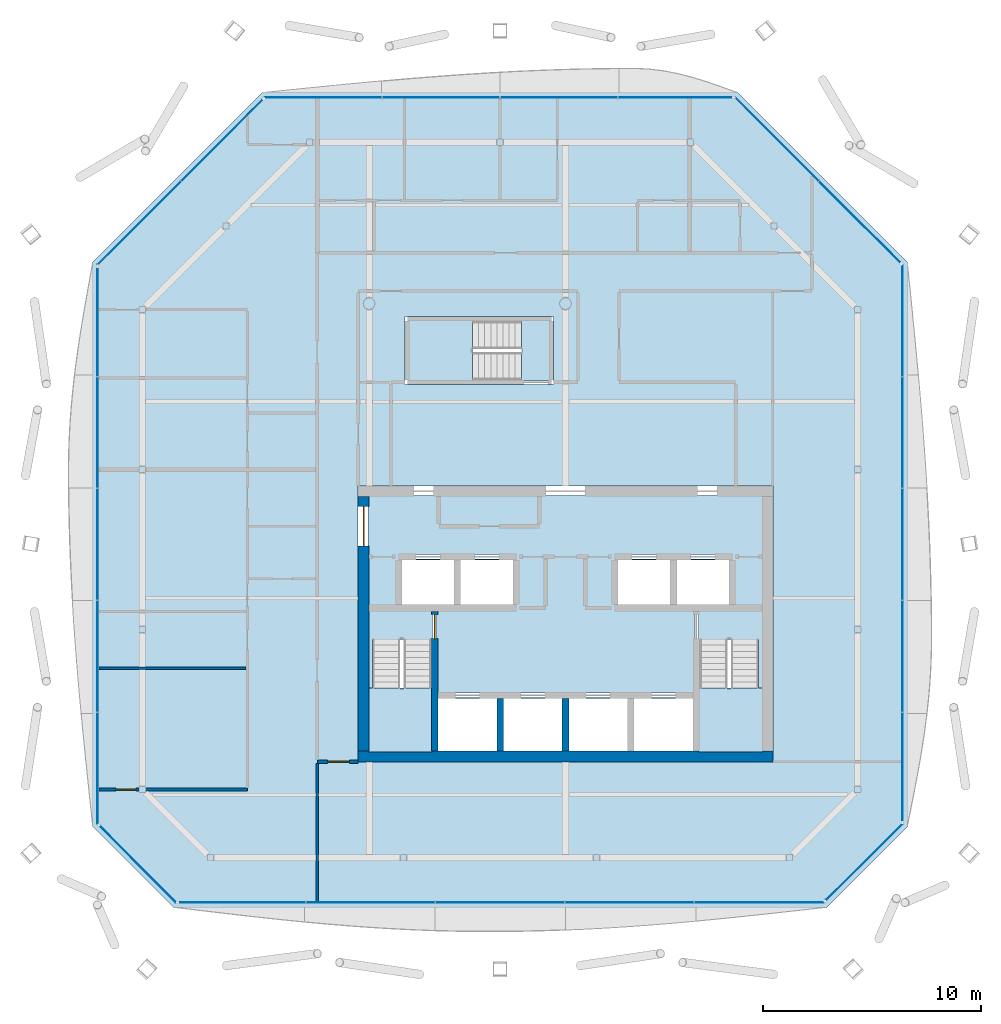
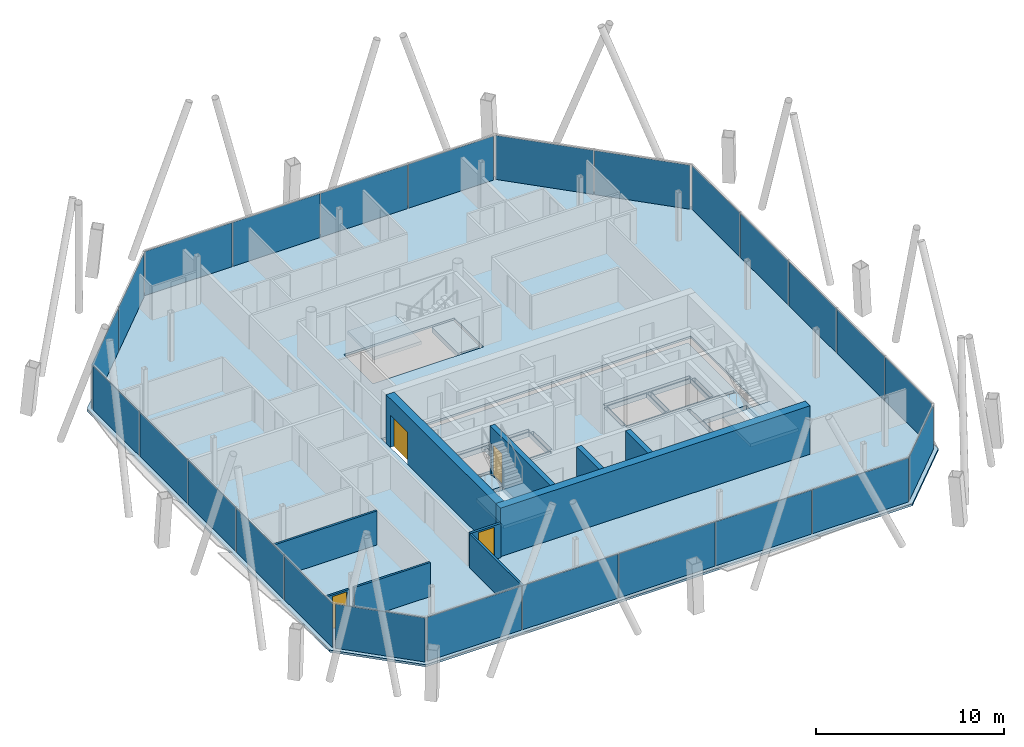
# One storey, part 11 of 17: 25 plates, 10 walls, 6 slabs, 4 doors, 4 openings, 11 elements without a shape of their own.
"""IFC4 building model written with IfcOpenShell, lengths in metres."""

from ifc_helpers import new_model, si_unit, direction, frame, frame_2d, origin, origin_2d, place, context, subcontext, project, spatial, polyline, rectangle, outline, extrude, material, layer, layer_set, type_object, element, fill, aggregate, save


model = new_model("IFC4")

# Units and contexts
model_context = context("Model", 3, precision=1e-05, world=origin(), true_north=direction((0.0, 1.0)))
body_context = subcontext(model_context, "Body", "Model", "MODEL_VIEW")
ifc_project = project(units=[si_unit("LENGTHUNIT", "METRE"), si_unit("AREAUNIT", "SQUARE_METRE"), si_unit("VOLUMEUNIT", "CUBIC_METRE"), si_unit("PLANEANGLEUNIT", "RADIAN"), si_unit("MASSUNIT", "GRAM", prefix="KILO")], contexts=[model_context])

# Site, building, storey
site_placement = place(None, origin())
site = spatial("IfcSite", under=ifc_project, at=site_placement, CompositionType="ELEMENT")
building_placement = place(site_placement, origin())
building = spatial("IfcBuilding", under=site, at=building_placement, Name="Tskaro Facet Tower", CompositionType="ELEMENT")
storey_placement = place(building_placement, frame((0.0, 0.0, 226.64990234375)))
storey = spatial("IfcBuildingStorey", under=building, at=storey_placement, Name="L58", CompositionType="ELEMENT", Elevation=226.64990234375)

# Slab
ifc_material_1 = material(Name="Concrete C30/37", Category="concrete")
ifc_layer_1 = layer(ifc_material_1, 0.139892578125, Name="Concrete C30/37")
ifc_layer_set_1 = layer_set([ifc_layer_1], Name="Concrete C30/37")
slab_type_1 = type_object("IfcSlabType", Name="Composite deck floor slab", PredefinedType="FLOOR", material=ifc_layer_set_1)
slab_1_placement = place(storey_placement, frame((0.0, 0.0, -0.139892578125)))
element("IfcSlab", 1, at=slab_1_placement, inside=storey, type_object=slab_type_1, Name="Floor slab FS3 L58", PredefinedType="FLOOR", context=body_context, shape_type="SweptSolid", body=[
    extrude(outline(polyline([(-17.947998046875, -18.68701171875), (11.947998046875, -18.68701171875), (15.68701171875, -14.947998046875), (15.68701171875, 10.883056640625), (7.883056640625, 18.68701171875), (-13.883056640625, 18.68701171875), (-21.68701171875, 10.883056640625), (-21.68701171875, -14.947998046875), (-17.947998046875, -18.68701171875)]), holes=[polyline([(-9.5, -12.0), (9.5, -12.0), (9.5, 0.64990234375), (-9.5, 0.64990234375), (-9.5, -12.0)]), polyline([(-7.35009765625, 5.300048828125), (-0.550048828125, 5.300048828125), (-0.550048828125, 8.39990234375), (-7.35009765625, 8.39990234375), (-7.35009765625, 5.300048828125)])]), origin(), (0.0, 0.0, 1.0), 0.139892578125),
])

# Curtain wall, plates
ifc_material_2 = material(Name="Bronze anodised aluminium 6063-T6", Category="aluminium")
curtain_wall_type = type_object("IfcCurtainWallType", Name="Bronze residence curtain wall (FW3)", PredefinedType="NOTDEFINED", material=ifc_material_2)
curtain_wall_1_placement = place(storey_placement, origin())
curtain_wall_1 = element("IfcCurtainWall", 2, at=curtain_wall_1_placement, inside=storey, type_object=curtain_wall_type, Name="FW3 south facet L58", PredefinedType="NOTDEFINED")
ifc_material_3 = material(Name="Bronze low-iron glass", Category="glass")
ifc_layer_2 = layer(ifc_material_3, 0.028076171875, Name="Bronze low-iron glass")
ifc_layer_set_2 = layer_set([ifc_layer_2], Name="Bronze low-iron glass")
plate_type = type_object("IfcPlateType", Name="FW3 bronze-tinted unit glazing 28", PredefinedType="CURTAIN_PANEL", material=ifc_layer_set_2)
plate_1_placement = place(storey_placement, frame((-14.817626953125, -18.43701171875, 0.0), z_axis=(0.0, 0.0, 1.0), x_axis=(1.0, 0.0, 0.0)))
plate_1 = element("IfcPlate", 3, at=plate_1_placement, type_object=plate_type, Name="FW3 south glazing 1.1", PredefinedType="CURTAIN_PANEL", context=body_context, shape_type="SweptSolid", body=[
    extrude(rectangle(XDim=5.772705078125, YDim=0.028076171875, at=origin_2d()), origin(), (0.0, 0.0, 1.0), 2.860107421875),
])
plate_2_placement = place(storey_placement, frame((-8.9375, -18.43701171875, 0.0), z_axis=(0.0, 0.0, 1.0), x_axis=(1.0, 0.0, 0.0)))
plate_2 = element("IfcPlate", 4, at=plate_2_placement, type_object=plate_type, Name="FW3 south glazing 2.1", PredefinedType="CURTAIN_PANEL", context=body_context, shape_type="SweptSolid", body=[
    extrude(rectangle(XDim=5.8876953125, YDim=0.028076171875, at=origin_2d()), origin(), (0.0, 0.0, 1.0), 2.860107421875),
])
plate_3_placement = place(storey_placement, frame((-3.0, -18.43701171875, 0.0), z_axis=(0.0, 0.0, 1.0), x_axis=(1.0, 0.0, 0.0)))
plate_3 = element("IfcPlate", 5, at=plate_3_placement, type_object=plate_type, Name="FW3 south glazing 3.1", PredefinedType="CURTAIN_PANEL", context=body_context, shape_type="SweptSolid", body=[
    extrude(rectangle(XDim=5.8876953125, YDim=0.028076171875, at=origin_2d()), origin(), (0.0, 0.0, 1.0), 2.860107421875),
])
plate_4_placement = place(storey_placement, frame((2.9375, -18.43701171875, 0.0), z_axis=(0.0, 0.0, 1.0), x_axis=(1.0, 0.0, 0.0)))
plate_4 = element("IfcPlate", 6, at=plate_4_placement, type_object=plate_type, Name="FW3 south glazing 4.1", PredefinedType="CURTAIN_PANEL", context=body_context, shape_type="SweptSolid", body=[
    extrude(rectangle(XDim=5.8876953125, YDim=0.028076171875, at=origin_2d()), origin(), (0.0, 0.0, 1.0), 2.860107421875),
])
plate_5_placement = place(storey_placement, frame((8.8876953125, -18.43701171875, 0.0), z_axis=(0.0, 0.0, 1.0), x_axis=(1.0, 0.0, 0.0)))
plate_5 = element("IfcPlate", 7, at=plate_5_placement, type_object=plate_type, Name="FW3 south glazing 5.1", PredefinedType="CURTAIN_PANEL", context=body_context, shape_type="SweptSolid", body=[
    extrude(rectangle(XDim=5.91259765625, YDim=0.028076171875, at=origin_2d()), origin(), (0.0, 0.0, 1.0), 2.860107421875),
])
aggregate(curtain_wall_1, [plate_1, plate_2, plate_3, plate_4, plate_5])

# Curtain wall, plate
curtain_wall_2_placement = place(storey_placement, origin())
curtain_wall_2 = element("IfcCurtainWall", 8, at=curtain_wall_2_placement, inside=storey, type_object=curtain_wall_type, Name="FW3 south-east facet L58", PredefinedType="NOTDEFINED")
plate_6_placement = place(storey_placement, frame((13.68994140625, -16.591064453125, 0.0), z_axis=(0.0, 0.0, 1.0), x_axis=(0.707106781187, 0.707106781187, 0.0)))
plate_6 = element("IfcPlate", 9, at=plate_6_placement, type_object=plate_type, Name="FW3 south-east glazing 1.1", PredefinedType="CURTAIN_PANEL", context=body_context, shape_type="SweptSolid", body=[
    extrude(rectangle(XDim=4.941162109375, YDim=0.028076171875, at=origin_2d()), origin(), (0.0, 0.0, 1.0), 2.860107421875),
])
aggregate(curtain_wall_2, [plate_6])

# Curtain wall, plates
curtain_wall_3_placement = place(storey_placement, origin())
curtain_wall_3 = element("IfcCurtainWall", 10, at=curtain_wall_3_placement, inside=storey, type_object=curtain_wall_type, Name="FW3 east facet L58", PredefinedType="NOTDEFINED")
plate_7_placement = place(storey_placement, frame((15.43701171875, -12.22412109375, 0.0), z_axis=(0.0, 0.0, 1.0), x_axis=(0.0, 1.0, 0.0)))
plate_7 = element("IfcPlate", 11, at=plate_7_placement, type_object=plate_type, Name="FW3 east glazing 1.1", PredefinedType="CURTAIN_PANEL", context=body_context, shape_type="SweptSolid", body=[
    extrude(rectangle(XDim=4.959716796875, YDim=0.028076171875, at=origin_2d()), origin(), (0.0, 0.0, 1.0), 2.860107421875),
])
plate_8_placement = place(storey_placement, frame((15.43701171875, -7.156982421875, 0.0), z_axis=(0.0, 0.0, 1.0), x_axis=(0.0, 1.0, 0.0)))
plate_8 = element("IfcPlate", 12, at=plate_8_placement, type_object=plate_type, Name="FW3 east glazing 2.1", PredefinedType="CURTAIN_PANEL", context=body_context, shape_type="SweptSolid", body=[
    extrude(rectangle(XDim=5.07470703125, YDim=0.028076171875, at=origin_2d()), origin(), (0.0, 0.0, 1.0), 2.860107421875),
])
plate_9_placement = place(storey_placement, frame((15.43701171875, -2.032470703125, 0.0), z_axis=(0.0, 0.0, 1.0), x_axis=(0.0, 1.0, 0.0)))
plate_9 = element("IfcPlate", 13, at=plate_9_placement, type_object=plate_type, Name="FW3 east glazing 3.1", PredefinedType="CURTAIN_PANEL", context=body_context, shape_type="SweptSolid", body=[
    extrude(rectangle(XDim=5.07470703125, YDim=0.028076171875, at=origin_2d()), origin(), (0.0, 0.0, 1.0), 2.860107421875),
])
plate_10_placement = place(storey_placement, frame((15.43701171875, 3.092041015625, 0.0), z_axis=(0.0, 0.0, 1.0), x_axis=(0.0, 1.0, 0.0)))
plate_10 = element("IfcPlate", 14, at=plate_10_placement, type_object=plate_type, Name="FW3 east glazing 4.1", PredefinedType="CURTAIN_PANEL", context=body_context, shape_type="SweptSolid", body=[
    extrude(rectangle(XDim=5.07470703125, YDim=0.028076171875, at=origin_2d()), origin(), (0.0, 0.0, 1.0), 2.860107421875),
])
plate_11_placement = place(storey_placement, frame((15.43701171875, 8.229248046875, 0.0), z_axis=(0.0, 0.0, 1.0), x_axis=(0.0, 1.0, 0.0)))
plate_11 = element("IfcPlate", 15, at=plate_11_placement, type_object=plate_type, Name="FW3 east glazing 5.1", PredefinedType="CURTAIN_PANEL", context=body_context, shape_type="SweptSolid", body=[
    extrude(rectangle(XDim=5.099609375, YDim=0.028076171875, at=origin_2d()), origin(), (0.0, 0.0, 1.0), 2.860107421875),
])
aggregate(curtain_wall_3, [plate_7, plate_8, plate_9, plate_10, plate_11])

curtain_wall_4_placement = place(storey_placement, origin())
curtain_wall_4 = element("IfcCurtainWall", 16, at=curtain_wall_4_placement, inside=storey, type_object=curtain_wall_type, Name="FW3 north-east facet L58", PredefinedType="NOTDEFINED")
plate_12_placement = place(storey_placement, frame((13.48193359375, 12.734130859375, 0.0), z_axis=(0.0, 0.0, 1.0), x_axis=(-0.707106781187, 0.707106781187, 0.0)))
plate_12 = element("IfcPlate", 17, at=plate_12_placement, type_object=plate_type, Name="FW3 north-east glazing 1.1", PredefinedType="CURTAIN_PANEL", context=body_context, shape_type="SweptSolid", body=[
    extrude(rectangle(XDim=5.25, YDim=0.028076171875, at=origin_2d()), origin(), (0.0, 0.0, 1.0), 2.860107421875),
])
plate_13_placement = place(storey_placement, frame((9.6845703125, 16.53125, 0.0), z_axis=(0.0, 0.0, 1.0), x_axis=(-0.707106781187, 0.707106781187, 0.0)))
plate_13 = element("IfcPlate", 18, at=plate_13_placement, type_object=plate_type, Name="FW3 north-east glazing 2.1", PredefinedType="CURTAIN_PANEL", context=body_context, shape_type="SweptSolid", body=[
    extrude(rectangle(XDim=5.39013671875, YDim=0.028076171875, at=origin_2d()), origin(), (0.0, 0.0, 1.0), 2.860107421875),
])
aggregate(curtain_wall_4, [plate_12, plate_13])

curtain_wall_5_placement = place(storey_placement, origin())
curtain_wall_5 = element("IfcCurtainWall", 19, at=curtain_wall_5_placement, inside=storey, type_object=curtain_wall_type, Name="FW3 north facet L58", PredefinedType="NOTDEFINED")
plate_14_placement = place(storey_placement, frame((5.02685546875, 18.43701171875, 0.0), z_axis=(0.0, 0.0, 1.0), x_axis=(-1.0, 0.0, 0.0)))
plate_14 = element("IfcPlate", 20, at=plate_14_placement, type_object=plate_type, Name="FW3 north glazing 1.1", PredefinedType="CURTAIN_PANEL", context=body_context, shape_type="SweptSolid", body=[
    extrude(rectangle(XDim=5.224609375, YDim=0.028076171875, at=origin_2d()), origin(), (0.0, 0.0, 1.0), 2.860107421875),
])
plate_15_placement = place(storey_placement, frame((-0.30517578125, 18.43701171875, 0.0), z_axis=(0.0, 0.0, 1.0), x_axis=(-1.0, 0.0, 0.0)))
plate_15 = element("IfcPlate", 21, at=plate_15_placement, type_object=plate_type, Name="FW3 north glazing 2.1", PredefinedType="CURTAIN_PANEL", context=body_context, shape_type="SweptSolid", body=[
    extrude(rectangle(XDim=5.339599609375, YDim=0.028076171875, at=origin_2d()), origin(), (0.0, 0.0, 1.0), 2.860107421875),
])
plate_16_placement = place(storey_placement, frame((-5.69482421875, 18.43701171875, 0.0), z_axis=(0.0, 0.0, 1.0), x_axis=(-1.0, 0.0, 0.0)))
plate_16 = element("IfcPlate", 22, at=plate_16_placement, type_object=plate_type, Name="FW3 north glazing 3.1", PredefinedType="CURTAIN_PANEL", context=body_context, shape_type="SweptSolid", body=[
    extrude(rectangle(XDim=5.339599609375, YDim=0.028076171875, at=origin_2d()), origin(), (0.0, 0.0, 1.0), 2.860107421875),
])
plate_17_placement = place(storey_placement, frame((-11.0966796875, 18.43701171875, 0.0), z_axis=(0.0, 0.0, 1.0), x_axis=(-1.0, 0.0, 0.0)))
plate_17 = element("IfcPlate", 23, at=plate_17_placement, type_object=plate_type, Name="FW3 north glazing 4.1", PredefinedType="CURTAIN_PANEL", context=body_context, shape_type="SweptSolid", body=[
    extrude(rectangle(XDim=5.364501953125, YDim=0.028076171875, at=origin_2d()), origin(), (0.0, 0.0, 1.0), 2.860107421875),
])
aggregate(curtain_wall_5, [plate_14, plate_15, plate_16, plate_17])

curtain_wall_6_placement = place(storey_placement, origin())
curtain_wall_6 = element("IfcCurtainWall", 24, at=curtain_wall_6_placement, inside=storey, type_object=curtain_wall_type, Name="FW3 north-west facet L58", PredefinedType="NOTDEFINED")
plate_18_placement = place(storey_placement, frame((-15.734130859375, 16.48193359375, 0.0), z_axis=(0.0, 0.0, 1.0), x_axis=(-0.707106781187, -0.707106781187, 0.0)))
plate_18 = element("IfcPlate", 25, at=plate_18_placement, type_object=plate_type, Name="FW3 north-west glazing 1.1", PredefinedType="CURTAIN_PANEL", context=body_context, shape_type="SweptSolid", body=[
    extrude(rectangle(XDim=5.25, YDim=0.028076171875, at=origin_2d()), origin(), (0.0, 0.0, 1.0), 2.860107421875),
])
plate_19_placement = place(storey_placement, frame((-19.53125, 12.6845703125, 0.0), z_axis=(0.0, 0.0, 1.0), x_axis=(-0.707106781187, -0.707106781187, 0.0)))
plate_19 = element("IfcPlate", 26, at=plate_19_placement, type_object=plate_type, Name="FW3 north-west glazing 2.1", PredefinedType="CURTAIN_PANEL", context=body_context, shape_type="SweptSolid", body=[
    extrude(rectangle(XDim=5.39013671875, YDim=0.028076171875, at=origin_2d()), origin(), (0.0, 0.0, 1.0), 2.860107421875),
])
aggregate(curtain_wall_6, [plate_18, plate_19])

curtain_wall_7_placement = place(storey_placement, origin())
curtain_wall_7 = element("IfcCurtainWall", 27, at=curtain_wall_7_placement, inside=storey, type_object=curtain_wall_type, Name="FW3 west facet L58", PredefinedType="NOTDEFINED")
plate_20_placement = place(storey_placement, frame((-21.43701171875, 8.1591796875, 0.0), z_axis=(0.0, 0.0, 1.0), x_axis=(0.0, -1.0, 0.0)))
plate_20 = element("IfcPlate", 28, at=plate_20_placement, type_object=plate_type, Name="FW3 west glazing 1.1", PredefinedType="CURTAIN_PANEL", context=body_context, shape_type="SweptSolid", body=[
    extrude(rectangle(XDim=4.959716796875, YDim=0.028076171875, at=origin_2d()), origin(), (0.0, 0.0, 1.0), 2.860107421875),
])
plate_21_placement = place(storey_placement, frame((-21.43701171875, 3.092041015625, 0.0), z_axis=(0.0, 0.0, 1.0), x_axis=(0.0, -1.0, 0.0)))
plate_21 = element("IfcPlate", 29, at=plate_21_placement, type_object=plate_type, Name="FW3 west glazing 2.1", PredefinedType="CURTAIN_PANEL", context=body_context, shape_type="SweptSolid", body=[
    extrude(rectangle(XDim=5.07470703125, YDim=0.028076171875, at=origin_2d()), origin(), (0.0, 0.0, 1.0), 2.860107421875),
])
plate_22_placement = place(storey_placement, frame((-21.43701171875, -2.032470703125, 0.0), z_axis=(0.0, 0.0, 1.0), x_axis=(0.0, -1.0, 0.0)))
plate_22 = element("IfcPlate", 30, at=plate_22_placement, type_object=plate_type, Name="FW3 west glazing 3.1", PredefinedType="CURTAIN_PANEL", context=body_context, shape_type="SweptSolid", body=[
    extrude(rectangle(XDim=5.07470703125, YDim=0.028076171875, at=origin_2d()), origin(), (0.0, 0.0, 1.0), 2.860107421875),
])
plate_23_placement = place(storey_placement, frame((-21.43701171875, -7.156982421875, 0.0), z_axis=(0.0, 0.0, 1.0), x_axis=(0.0, -1.0, 0.0)))
plate_23 = element("IfcPlate", 31, at=plate_23_placement, type_object=plate_type, Name="FW3 west glazing 4.1", PredefinedType="CURTAIN_PANEL", context=body_context, shape_type="SweptSolid", body=[
    extrude(rectangle(XDim=5.07470703125, YDim=0.028076171875, at=origin_2d()), origin(), (0.0, 0.0, 1.0), 2.860107421875),
])
plate_24_placement = place(storey_placement, frame((-21.43701171875, -12.294189453125, 0.0), z_axis=(0.0, 0.0, 1.0), x_axis=(0.0, -1.0, 0.0)))
plate_24 = element("IfcPlate", 32, at=plate_24_placement, type_object=plate_type, Name="FW3 west glazing 5.1", PredefinedType="CURTAIN_PANEL", context=body_context, shape_type="SweptSolid", body=[
    extrude(rectangle(XDim=5.099609375, YDim=0.028076171875, at=origin_2d()), origin(), (0.0, 0.0, 1.0), 2.860107421875),
])
aggregate(curtain_wall_7, [plate_20, plate_21, plate_22, plate_23, plate_24])

# Curtain wall, plate
curtain_wall_8_placement = place(storey_placement, origin())
curtain_wall_8 = element("IfcCurtainWall", 33, at=curtain_wall_8_placement, inside=storey, type_object=curtain_wall_type, Name="FW3 south-west facet L58", PredefinedType="NOTDEFINED")
plate_25_placement = place(storey_placement, frame((-19.591064453125, -16.68994140625, 0.0), z_axis=(0.0, 0.0, 1.0), x_axis=(0.707106781187, -0.707106781187, 0.0)))
plate_25 = element("IfcPlate", 34, at=plate_25_placement, type_object=plate_type, Name="FW3 south-west glazing 1.1", PredefinedType="CURTAIN_PANEL", context=body_context, shape_type="SweptSolid", body=[
    extrude(rectangle(XDim=4.941162109375, YDim=0.028076171875, at=origin_2d()), origin(), (0.0, 0.0, 1.0), 2.860107421875),
])
aggregate(curtain_wall_8, [plate_25])

# Stair, slab
ifc_material_4 = material(Name="Concrete C40/50", Category="concrete")
stair_type = type_object("IfcStairType", Name="ST-TWR", PredefinedType="HALF_TURN_STAIR", material=ifc_material_4)
stair_1_placement = place(storey_placement, origin())
stair_1 = element("IfcStair", 35, at=stair_1_placement, inside=storey, type_object=stair_type, Name="L58 Exit stair 1", PredefinedType="HALF_TURN_STAIR")
ifc_layer_3 = layer(ifc_material_4, 0.199951171875, Name="Concrete C40/50")
ifc_layer_set_3 = layer_set([ifc_layer_3], Name="Concrete C40/50")
slab_type_2 = type_object("IfcSlabType", Name="SL-LANDING", PredefinedType="LANDING", material=ifc_layer_set_3)
slab_2_placement = place(storey_placement, frame((0.0, 0.0, 1.375)))
slab_2 = element("IfcSlab", 36, at=slab_2_placement, type_object=slab_type_2, Name="ST-1 landing 1", PredefinedType="LANDING", context=body_context, shape_type="SweptSolid", body=[
    extrude(outline(polyline([(-9.050048828125, -11.550048828125), (-6.10009765625, -11.550048828125), (-6.10009765625, -8.614990234375), (-9.050048828125, -8.614990234375), (-9.050048828125, -11.550048828125)])), origin(), (0.0, 0.0, 1.0), 0.2001953125),
])
aggregate(stair_1, [slab_2])

stair_2_placement = place(storey_placement, origin())
stair_2 = element("IfcStair", 37, at=stair_2_placement, inside=storey, type_object=stair_type, Name="L58 Exit stair 2", PredefinedType="HALF_TURN_STAIR")
slab_3_placement = place(storey_placement, frame((0.0, 0.0, 1.375)))
slab_3 = element("IfcSlab", 38, at=slab_3_placement, type_object=slab_type_2, Name="ST-2 landing 1", PredefinedType="LANDING", context=body_context, shape_type="SweptSolid", body=[
    extrude(outline(polyline([(6.10009765625, -11.550048828125), (9.050048828125, -11.550048828125), (9.050048828125, -8.614990234375), (6.10009765625, -8.614990234375), (6.10009765625, -11.550048828125)])), origin(), (0.0, 0.0, 1.0), 0.2001953125),
])
aggregate(stair_2, [slab_3])

stair_3_placement = place(storey_placement, origin())
stair_3 = element("IfcStair", 39, at=stair_3_placement, inside=storey, type_object=stair_type, Name="L58 Exit stair 3", PredefinedType="HALF_TURN_STAIR")
slab_4_placement = place(storey_placement, frame((0.0, 0.0, 1.375)))
slab_4 = element("IfcSlab", 40, at=slab_4_placement, type_object=slab_type_2, Name="ST-3 landing 1", PredefinedType="LANDING", context=body_context, shape_type="SweptSolid", body=[
    extrude(outline(polyline([(-7.199951171875, 5.449951171875), (-4.264892578125, 5.449951171875), (-4.264892578125, 8.25), (-7.199951171875, 8.25), (-7.199951171875, 5.449951171875)])), origin(), (0.0, 0.0, 1.0), 0.2001953125),
])
aggregate(stair_3, [slab_4])

# Slabs
ifc_material_5 = material(Name="Concrete C60/75", Category="concrete")
ifc_layer_4 = layer(ifc_material_5, 0.300048828125, Name="Concrete C60/75")
ifc_layer_set_4 = layer_set([ifc_layer_4], Name="Concrete C60/75")
slab_type_3 = type_object("IfcSlabType", Name="SLAB-CORE", PredefinedType="FLOOR", material=ifc_layer_set_4)
slab_5_placement = place(storey_placement, frame((0.0, 0.0, -0.2998046875)))
element("IfcSlab", 41, at=slab_5_placement, inside=storey, type_object=slab_type_3, Name="Core floor slab 1", PredefinedType="FLOOR", context=body_context, shape_type="SweptSolid", body=[
    extrude(outline(polyline([(-9.050048828125, 0.199951171875), (9.050048828125, 0.199951171875), (9.050048828125, 0.10009765625), (9.050048828125, -11.449951171875), (9.050048828125, -11.550048828125), (-9.050048828125, -11.550048828125), (-9.050048828125, -11.449951171875), (-9.050048828125, 0.10009765625), (-9.050048828125, 0.199951171875)]), holes=[polyline([(-5.85009765625, -9.10009765625), (-5.85009765625, -11.5), (-3.14990234375, -11.5), (-3.14990234375, -9.10009765625), (-5.85009765625, -9.10009765625)]), polyline([(-3.10009765625, -11.449951171875), (-2.89990234375, -11.449951171875), (-2.89990234375, -9.14990234375), (-3.10009765625, -9.14990234375), (-3.10009765625, -11.449951171875)]), polyline([(-2.85009765625, -9.10009765625), (-2.85009765625, -11.5), (-0.14990234375, -11.5), (-0.14990234375, -9.10009765625), (-2.85009765625, -9.10009765625)]), polyline([(-6.10009765625, -11.449951171875), (-5.89990234375, -11.449951171875), (-5.89990234375, -5.14990234375), (-6.10009765625, -5.14990234375), (-6.10009765625, -11.449951171875)]), polyline([(-8.949951171875, -5.050048828125), (-2.300048828125, -5.050048828125), (-2.300048828125, -4.85009765625), (-8.949951171875, -4.85009765625), (-8.949951171875, -5.050048828125)]), polyline([(-7.75, -4.75), (-7.550048828125, -4.75), (-7.550048828125, -2.800048828125), (-7.75, -2.800048828125), (-7.75, -4.75)]), polyline([(-7.5, -2.75), (-7.5, -4.800048828125), (-5.10009765625, -4.800048828125), (-5.10009765625, -2.75), (-7.5, -2.75)]), polyline([(-5.050048828125, -4.75), (-4.85009765625, -4.75), (-4.85009765625, -2.800048828125), (-5.050048828125, -2.800048828125), (-5.050048828125, -4.75)]), polyline([(-2.39990234375, -2.75), (-4.800048828125, -2.75), (-4.800048828125, -4.800048828125), (-2.39990234375, -4.800048828125), (-2.39990234375, -2.75)]), polyline([(-2.35009765625, -4.75), (-2.14990234375, -4.75), (-2.14990234375, -2.800048828125), (-2.35009765625, -2.800048828125), (-2.35009765625, -4.75)]), polyline([(-7.60009765625, -2.699951171875), (-2.300048828125, -2.699951171875), (-2.300048828125, -2.5), (-7.60009765625, -2.5), (-7.60009765625, -2.699951171875)]), polyline([(-0.10009765625, -11.449951171875), (0.10009765625, -11.449951171875), (0.10009765625, -9.14990234375), (-0.10009765625, -9.14990234375), (-0.10009765625, -11.449951171875)]), polyline([(0.14990234375, -9.10009765625), (0.14990234375, -11.5), (2.85009765625, -11.5), (2.85009765625, -9.10009765625), (0.14990234375, -9.10009765625)]), polyline([(2.89990234375, -11.449951171875), (3.10009765625, -11.449951171875), (3.10009765625, -9.14990234375), (2.89990234375, -9.14990234375), (2.89990234375, -11.449951171875)]), polyline([(3.14990234375, -9.10009765625), (3.14990234375, -11.5), (5.85009765625, -11.5), (5.85009765625, -9.10009765625), (3.14990234375, -9.10009765625)]), polyline([(-5.800048828125, -9.050048828125), (5.800048828125, -9.050048828125), (5.800048828125, -8.85009765625), (-5.800048828125, -8.85009765625), (-5.800048828125, -9.050048828125)]), polyline([(5.89990234375, -11.449951171875), (6.10009765625, -11.449951171875), (6.10009765625, -5.14990234375), (5.89990234375, -5.14990234375), (5.89990234375, -11.449951171875)]), polyline([(2.300048828125, -5.050048828125), (8.949951171875, -5.050048828125), (8.949951171875, -4.85009765625), (2.300048828125, -4.85009765625), (2.300048828125, -5.050048828125)]), polyline([(2.14990234375, -4.75), (2.35009765625, -4.75), (2.35009765625, -2.800048828125), (2.14990234375, -2.800048828125), (2.14990234375, -4.75)]), polyline([(2.39990234375, -4.800048828125), (4.800048828125, -4.800048828125), (4.800048828125, -2.75), (2.39990234375, -2.75), (2.39990234375, -4.800048828125)]), polyline([(4.85009765625, -4.75), (5.050048828125, -4.75), (5.050048828125, -2.800048828125), (4.85009765625, -2.800048828125), (4.85009765625, -4.75)]), polyline([(5.10009765625, -4.800048828125), (7.5, -4.800048828125), (7.5, -2.75), (5.10009765625, -2.75), (5.10009765625, -4.800048828125)]), polyline([(7.550048828125, -4.75), (7.75, -4.75), (7.75, -2.800048828125), (7.550048828125, -2.800048828125), (7.550048828125, -4.75)]), polyline([(2.300048828125, -2.699951171875), (7.60009765625, -2.699951171875), (7.60009765625, -2.5), (2.300048828125, -2.5), (2.300048828125, -2.699951171875)]), polyline([(-8.85009765625, -11.5), (-6.14990234375, -11.5), (-6.14990234375, -6.39501953125), (-8.85009765625, -6.39501953125), (-8.85009765625, -11.5)]), polyline([(6.14990234375, -6.39501953125), (6.14990234375, -11.5), (8.85009765625, -11.5), (8.85009765625, -6.39501953125), (6.14990234375, -6.39501953125)])]), origin(), (0.0, 0.0, 1.0), 0.2998046875),
])
slab_6_placement = place(storey_placement, frame((0.0, 0.0, -0.2998046875)))
element("IfcSlab", 42, at=slab_6_placement, inside=storey, type_object=slab_type_3, Name="Stair 3 floor landing 1", PredefinedType="FLOOR", context=body_context, shape_type="SweptSolid", body=[
    extrude(outline(polyline([(-2.02490234375, 5.449951171875), (-0.699951171875, 5.449951171875), (-0.699951171875, 8.25), (-2.02490234375, 8.25), (-2.02490234375, 5.449951171875)])), origin(), (0.0, 0.0, 1.0), 0.2998046875),
])

# Wall, opening, door
ifc_layer_5 = layer(ifc_material_5, 0.300048828125, Name="Concrete C60/75")
ifc_layer_set_5 = layer_set([ifc_layer_5], Name="Concrete C60/75")
wall_type_1 = type_object("IfcWallType", Name="CORE-SHAFT", PredefinedType="SHEAR", material=ifc_layer_set_5)
wall_1_placement = place(storey_placement, frame((-6.0, -11.5, 0.0), z_axis=(0.0, 0.0, 1.0), x_axis=(0.0, 1.0, 0.0)))
wall_1 = element("IfcWall", 43, at=wall_1_placement, inside=storey, type_object=wall_type_1, Name="Shaft wall W049", PredefinedType="SHEAR", context=body_context, shape_type="SweptSolid", body=[
    extrude(rectangle(XDim=6.39990234375, YDim=0.300048828125, at=frame_2d((3.199951171875, 0.0))), origin(), (0.0, 0.0, 1.0), 3.150146484375),
])
opening_1_placement = place(wall_1_placement, frame((5.14990234375, 0.0, 0.0)))
opening_1 = element("IfcOpeningElement", 44, at=opening_1_placement, cuts=wall_1, Name="Opening ST-1-D1", PredefinedType="OPENING", context=body_context, shape_type="SweptSolid", body=[
    extrude(rectangle(XDim=1.10009765625, YDim=2.10009765625, at=frame_2d((0.550048828125, 1.050048828125))), frame((0.0, 0.159912109375, 0.0), z_axis=(0.0, -1.0, 0.0), x_axis=(1.0, 0.0, 0.0)), (0.0, 0.0, 1.0), 0.320068359375),
])
ifc_material_6 = material(Name="Steel", Category="steel")
door_type_1 = type_object("IfcDoorType", Name="D-STAIR", OperationType="NOTDEFINED", PredefinedType="DOOR", material=ifc_material_6)
door_1_placement = place(opening_1_placement, origin())
door_1 = element("IfcDoor", 45, at=door_1_placement, inside=storey, type_object=door_type_1, Name="Stair door 1", OperationType="SINGLE_SWING_LEFT", OverallHeight=2.10009765625, OverallWidth=1.10009765625, PredefinedType="DOOR", context=body_context, shape_type="SweptSolid", body=[
    extrude(rectangle(XDim=1.10009765625, YDim=2.10009765625, at=frame_2d((0.550048828125, 1.050048828125))), frame((0.0, 0.02490234375, 0.0), z_axis=(0.0, -1.0, 0.0), x_axis=(1.0, 0.0, 0.0)), (0.0, 0.0, 1.0), 0.050048828125),
])
fill(opening_1, door_1)

# Walls
for number, where, z_axis, x_axis, name in (
    (46, (-3.0, -11.5, 0.0), (0.0, 0.0, 1.0), (0.0, 1.0, 0.0), "Shaft wall W052"),
    (47, (0.0, -11.5, 0.0), (0.0, 0.0, 1.0), (0.0, 1.0, 0.0), "Shaft wall W060"),
):
    element("IfcWall", number, at=place(storey_placement, frame(where, z_axis=z_axis, x_axis=x_axis)), inside=storey, type_object=wall_type_1, Name=name, PredefinedType="SHEAR", context=body_context, shape_type="SweptSolid", body=[
        extrude(rectangle(XDim=2.39990234375, YDim=0.300048828125, at=frame_2d((1.199951171875, 0.0))), origin(), (0.0, 0.0, 1.0), 3.150146484375),
    ])
ifc_layer_6 = layer(ifc_material_4, 0.5, Name="Concrete C40/50")
ifc_layer_set_6 = layer_set([ifc_layer_6], Name="Concrete C40/50")
wall_type_2 = type_object("IfcWallType", Name="Core wall 500", PredefinedType="SHEAR", material=ifc_layer_set_6)
wall_2_placement = place(storey_placement, frame((-9.5, -11.75, 0.0), z_axis=(0.0, 0.0, 1.0), x_axis=(1.0, 0.0, 0.0)))
element("IfcWall", 48, at=wall_2_placement, inside=storey, type_object=wall_type_2, Name="Core wall CW-Z3S", PredefinedType="SHEAR", context=body_context, shape_type="SweptSolid", body=[
    extrude(rectangle(XDim=19.0, YDim=0.5, at=frame_2d((9.5, 0.0))), origin(), (0.0, 0.0, 1.0), 3.150146484375),
])

# Wall, opening, door
wall_3_placement = place(storey_placement, frame((-9.25, -11.5, 0.0), z_axis=(0.0, 0.0, 1.0), x_axis=(0.0, 1.0, 0.0)))
wall_3 = element("IfcWall", 49, at=wall_3_placement, inside=storey, type_object=wall_type_2, Name="Core wall CW-Z3W", PredefinedType="SHEAR", context=body_context, shape_type="SweptSolid", body=[
    extrude(rectangle(XDim=11.64990234375, YDim=0.5, at=frame_2d((5.824951171875, 0.0))), origin(), (0.0, 0.0, 1.0), 3.150146484375),
])
opening_2_placement = place(wall_3_placement, frame((9.39990234375, 0.0, 0.0)))
opening_2 = element("IfcOpeningElement", 50, at=opening_2_placement, cuts=wall_3, Name="Opening T17-D11", PredefinedType="OPENING", context=body_context, shape_type="SweptSolid", body=[
    extrude(rectangle(XDim=1.800048828125, YDim=2.10009765625, at=frame_2d((0.89990234375, 1.050048828125))), frame((0.0, 0.260009765625, 0.0), z_axis=(0.0, -1.0, 0.0), x_axis=(1.0, 0.0, 0.0)), (0.0, 0.0, 1.0), 0.52001953125),
])
door_type_2 = type_object("IfcDoorType", Name="D-CORE-PAIR", OperationType="NOTDEFINED", PredefinedType="DOOR", material=ifc_material_6)
door_2_placement = place(opening_2_placement, origin())
door_2 = element("IfcDoor", 51, at=door_2_placement, inside=storey, type_object=door_type_2, Name="Door T17-D11", OperationType="DOUBLE_DOOR_SINGLE_SWING", OverallHeight=2.10009765625, OverallWidth=1.800048828125, PredefinedType="DOOR", context=body_context, shape_type="SweptSolid", body=[
    extrude(rectangle(XDim=1.800048828125, YDim=2.10009765625, at=frame_2d((0.89990234375, 1.050048828125))), frame((0.0, 0.02490234375, 0.0), z_axis=(0.0, -1.0, 0.0), x_axis=(1.0, 0.0, 0.0)), (0.0, 0.0, 1.0), 0.050048828125),
])
fill(opening_2, door_2)

ifc_material_7 = material(Name="Gypsum board on steel studs", Category="steel")
ifc_layer_7 = layer(ifc_material_7, 0.125, Name="Gypsum board on steel studs")
ifc_layer_set_7 = layer_set([ifc_layer_7], Name="Gypsum board on steel studs")
wall_type_3 = type_object("IfcWallType", Name="PART", PredefinedType="PARTITIONING", material=ifc_layer_set_7)
wall_4_placement = place(storey_placement, frame((-21.385009765625, -13.27001953125, 0.0), z_axis=(0.0, 0.0, 1.0), x_axis=(1.0, 0.0, 0.0)))
wall_4 = element("IfcWall", 52, at=wall_4_placement, inside=storey, type_object=wall_type_3, Name="Partition W001", PredefinedType="PARTITIONING", context=body_context, shape_type="SweptSolid", body=[
    extrude(rectangle(XDim=1.843994140625, YDim=0.125, at=frame_2d((0.921875, 0.0))), origin(), (0.0, 0.0, 1.0), 2.210205078125),
])
opening_3_placement = place(wall_4_placement, frame((0.7939453125, 0.0, 0.0)))
opening_3 = element("IfcOpeningElement", 53, at=opening_3_placement, cuts=wall_4, Name="Opening T17-D01", PredefinedType="OPENING", context=body_context, shape_type="SweptSolid", body=[
    extrude(rectangle(XDim=0.89990234375, YDim=2.10009765625, at=frame_2d((0.449951171875, 1.050048828125))), frame((0.0, 0.072509765625, 0.0), z_axis=(0.0, -1.0, 0.0), x_axis=(1.0, 0.0, 0.0)), (0.0, 0.0, 1.0), 0.14501953125),
])
ifc_material_8 = material(Name="Timber", Category="wood")
door_type_3 = type_object("IfcDoorType", Name="D-ROOM", OperationType="NOTDEFINED", PredefinedType="DOOR", material=ifc_material_8)
door_3_placement = place(opening_3_placement, origin())
door_3 = element("IfcDoor", 54, at=door_3_placement, inside=storey, type_object=door_type_3, Name="Door T17-D01", OperationType="SINGLE_SWING_LEFT", OverallHeight=2.10009765625, OverallWidth=0.89990234375, PredefinedType="DOOR", context=body_context, shape_type="SweptSolid", body=[
    extrude(rectangle(XDim=0.89990234375, YDim=2.10009765625, at=frame_2d((0.449951171875, 1.050048828125))), frame((0.0, 0.02490234375, 0.0), z_axis=(0.0, -1.0, 0.0), x_axis=(1.0, 0.0, 0.0)), (0.0, 0.0, 1.0), 0.050048828125),
])
fill(opening_3, door_3)

# Walls
wall_5_placement = place(storey_placement, frame((-19.240966796875, -13.27001953125, 0.0), z_axis=(0.0, 0.0, 1.0), x_axis=(1.0, 0.0, 0.0)))
element("IfcWall", 55, at=wall_5_placement, inside=storey, type_object=wall_type_3, Name="Partition W002", PredefinedType="PARTITIONING", context=body_context, shape_type="SweptSolid", body=[
    extrude(rectangle(XDim=4.666015625, YDim=0.125, at=frame_2d((2.3330078125, 0.0))), origin(), (0.0, 0.0, 1.0), 2.210205078125),
])
wall_6_placement = place(storey_placement, frame((-21.385009765625, -7.7099609375, 0.0), z_axis=(0.0, 0.0, 1.0), x_axis=(1.0, 0.0, 0.0)))
element("IfcWall", 56, at=wall_6_placement, inside=storey, type_object=wall_type_3, Name="Partition W006", PredefinedType="PARTITIONING", context=body_context, shape_type="SweptSolid", body=[
    extrude(rectangle(XDim=6.74755859375, YDim=0.125, at=frame_2d((3.373779296875, 0.0))), origin(), (0.0, 0.0, 1.0), 2.210205078125),
])
wall_7_placement = place(storey_placement, frame((-11.375, -18.385009765625, 0.0), z_axis=(0.0, 0.0, 1.0), x_axis=(0.0, 1.0, 0.0)))
element("IfcWall", 57, at=wall_7_placement, inside=storey, type_object=wall_type_3, Name="Partition W040", PredefinedType="PARTITIONING", context=body_context, shape_type="SweptSolid", body=[
    extrude(rectangle(XDim=6.31005859375, YDim=0.125, at=frame_2d((3.155029296875, 0.0))), origin(), (0.0, 0.0, 1.0), 2.210205078125),
])

# Wall, opening, door
ifc_layer_8 = layer(ifc_material_7, 0.14990234375, Name="Gypsum board on steel studs")
ifc_layer_set_8 = layer_set([ifc_layer_8], Name="Gypsum board on steel studs")
wall_type_4 = type_object("IfcWallType", Name="PART-CORR", PredefinedType="PARTITIONING", material=ifc_layer_set_8)
wall_8_placement = place(storey_placement, frame((-9.5, -12.0, 0.0), z_axis=(0.0, 0.0, 1.0), x_axis=(-1.0, 0.0, 0.0)))
wall_8 = element("IfcWall", 58, at=wall_8_placement, inside=storey, type_object=wall_type_4, Name="Corridor wall W003", PredefinedType="PARTITIONING", context=body_context, shape_type="SweptSolid", body=[
    extrude(rectangle(XDim=1.875, YDim=0.14990234375, at=frame_2d((0.9375, 0.0))), origin(), (0.0, 0.0, 1.0), 2.210205078125),
])
opening_4_placement = place(wall_8_placement, frame((0.39990234375, 0.0, 0.0)))
opening_4 = element("IfcOpeningElement", 59, at=opening_4_placement, cuts=wall_8, Name="Opening T17-D02", PredefinedType="OPENING", context=body_context, shape_type="SweptSolid", body=[
    extrude(rectangle(XDim=1.0, YDim=2.10009765625, at=frame_2d((0.5, 1.050048828125))), frame((0.0, 0.0849609375, 0.0), z_axis=(0.0, -1.0, 0.0), x_axis=(1.0, 0.0, 0.0)), (0.0, 0.0, 1.0), 0.169921875),
])
door_type_4 = type_object("IfcDoorType", Name="D-ROOM-WIDE", OperationType="NOTDEFINED", PredefinedType="DOOR", material=ifc_material_8)
door_4_placement = place(opening_4_placement, origin())
door_4 = element("IfcDoor", 60, at=door_4_placement, inside=storey, type_object=door_type_4, Name="Door T17-D02", OperationType="SINGLE_SWING_RIGHT", OverallHeight=2.10009765625, OverallWidth=1.0, PredefinedType="DOOR", context=body_context, shape_type="SweptSolid", body=[
    extrude(rectangle(XDim=1.0, YDim=2.10009765625, at=frame_2d((0.5, 1.050048828125))), frame((0.0, 0.02490234375, 0.0), z_axis=(0.0, -1.0, 0.0), x_axis=(1.0, 0.0, 0.0)), (0.0, 0.0, 1.0), 0.050048828125),
])
fill(opening_4, door_4)

save(model, "model.ifc")
